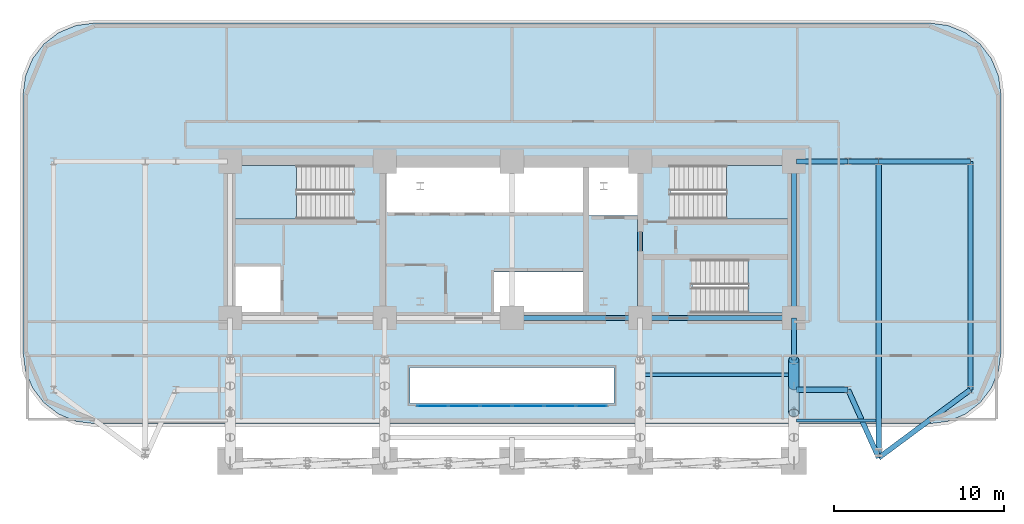
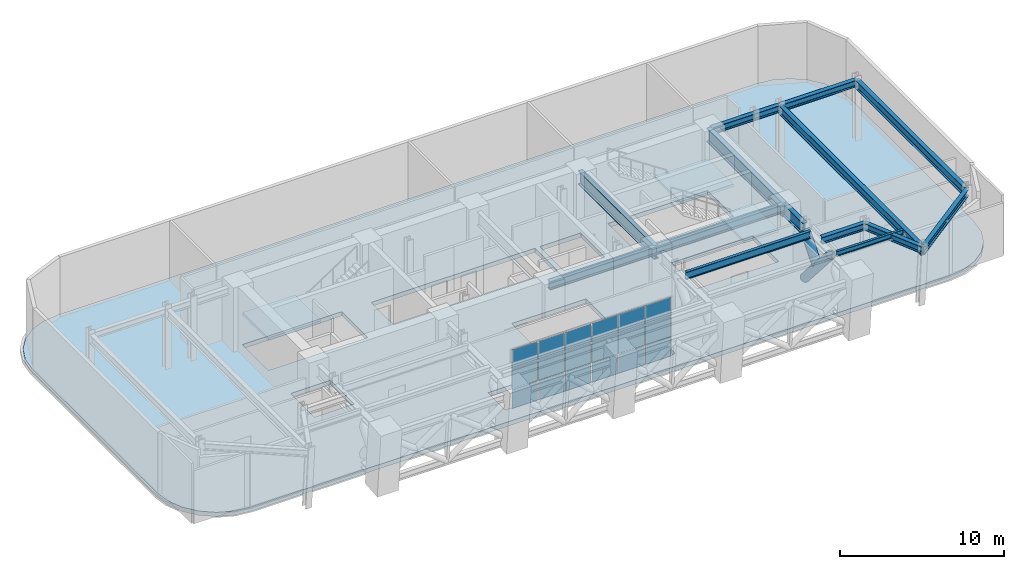
# One storey, part 6 of 12: 18 plates, 15 beams, 4 slabs, 2 members, 4 elements without a shape of their own.
"""IFC4 building model written with IfcOpenShell, lengths in metres."""

from ifc_helpers import new_model, si_unit, direction, frame, origin, origin_2d, place, context, subcontext, project, spatial, polyline, rectangle, hollow_circle, i_section, outline, extrude, material, layer, layer_set, material_profile, profile_set, type_object, element, aggregate, save


model = new_model("IFC4")

# Units and contexts
model_context = context("Model", 3, precision=1e-05, world=origin(), true_north=direction((0.0, 1.0)))
body_context = subcontext(model_context, "Body", "Model", "MODEL_VIEW")
ifc_project = project(units=[si_unit("LENGTHUNIT", "METRE"), si_unit("AREAUNIT", "SQUARE_METRE"), si_unit("VOLUMEUNIT", "CUBIC_METRE"), si_unit("PLANEANGLEUNIT", "RADIAN"), si_unit("MASSUNIT", "GRAM", prefix="KILO")], contexts=[model_context])

# Site, building, storey
site_placement = place(None, origin())
site = spatial("IfcSite", under=ifc_project, at=site_placement, CompositionType="ELEMENT")
building_placement = place(site_placement, origin())
building = spatial("IfcBuilding", under=site, at=building_placement, Name="Zarnavel Station Tower", CompositionType="ELEMENT")
storey_placement = place(building_placement, frame((0.0, 0.0, 74.5)))
storey = spatial("IfcBuildingStorey", under=building, at=storey_placement, Name="L20", CompositionType="ELEMENT", Elevation=74.5)

# Beams
ifc_material_1 = material(Name="Steel S355J2", Category="steel")
ifc_material_profile_1 = material_profile(ifc_material_1, i_section(OverallWidth=0.2099609375, OverallDepth=0.550048828125, WebThickness=0.010986328125, FlangeThickness=0.01708984375, FilletRadius=0.02392578125, at=origin_2d()), Name="IPE550")
ifc_profile_set_1 = profile_set([ifc_material_profile_1], Name="Steel S355J2")
beam_type_1 = type_object("IfcBeamType", Name="FB_IPE550", PredefinedType="BEAM", material=ifc_profile_set_1)
beam_1_placement = place(storey_placement, frame((36.4951171875, 24.490234375, 4.205078125), z_axis=(1.0, 0.0, 0.0), x_axis=(0.0, 1.0, 0.0)))
element("IfcBeam", 1, at=beam_1_placement, inside=storey, type_object=beam_type_1, Name="L20 East Bay Beam 2", PredefinedType="BEAM", context=body_context, shape_type="SweptSolid", body=[
    extrude(i_section(OverallWidth=0.2099609375, OverallDepth=0.550048828125, WebThickness=0.010986328125, FlangeThickness=0.01708984375, FilletRadius=0.02392578125, at=origin_2d()), origin(), (0.0, 0.0, 1.0), 8.759765625),
])
ifc_material_2 = material(Name="Steel S355J2", Category="steel")
ifc_material_profile_2 = material_profile(ifc_material_2, i_section(OverallWidth=0.300048828125, OverallDepth=0.5, WebThickness=0.014404296875, FlangeThickness=0.028076171875, FilletRadius=0.027099609375, at=origin_2d()), Name="HEB500")
ifc_profile_set_2 = profile_set([ifc_material_profile_2], Name="Steel S355J2")
beam_type_2 = type_object("IfcBeamType", Name="FG_HEB500", PredefinedType="USERDEFINED", material=ifc_profile_set_2)
for number, where, z_axis, x_axis, name in (
    (2, (45.544921875, 23.60009765625, 4.22998046875), (1.0, 0.0, 0.0), (0.0, 1.0, 0.0), "L20 East Wing South Tie 1"),
    (3, (45.544921875, 37.050048828125, 4.22998046875), (1.0, 0.0, 0.0), (0.0, 1.0, 0.0), "L20 East Wing North Tie 1"),
):
    element("IfcBeam", number, at=place(storey_placement, frame(where, z_axis=z_axis, x_axis=x_axis)), inside=storey, type_object=beam_type_2, Name=name, ObjectType="GIRDER", PredefinedType="USERDEFINED", context=body_context, shape_type="SweptSolid", body=[
        extrude(i_section(OverallWidth=0.300048828125, OverallDepth=0.5, WebThickness=0.014404296875, FlangeThickness=0.028076171875, FilletRadius=0.027099609375, at=origin_2d()), origin(), (0.0, 0.0, 1.0), 3.05517578125),
    ])
beam_2_placement = place(storey_placement, frame((48.60009765625, 23.60009765625, 4.22998046875), z_axis=(0.409807547675, -0.912172008926, 0.0), x_axis=(0.912172008926, 0.409807547675, 0.0)))
element("IfcBeam", 4, at=beam_2_placement, inside=storey, type_object=beam_type_2, Name="L20 East Wing South Tie 2", ObjectType="GIRDER", PredefinedType="USERDEFINED", context=body_context, shape_type="SweptSolid", body=[
    extrude(i_section(OverallWidth=0.300048828125, OverallDepth=0.5, WebThickness=0.014404296875, FlangeThickness=0.028076171875, FilletRadius=0.027099609375, at=origin_2d()), origin(), (0.0, 0.0, 1.0), 4.391845703125),
])
beam_3_placement = place(storey_placement, frame((48.60009765625, 37.050048828125, 4.22998046875), z_axis=(1.0, 0.0, 0.0), x_axis=(0.0, 1.0, 0.0)))
element("IfcBeam", 5, at=beam_3_placement, inside=storey, type_object=beam_type_2, Name="L20 East Wing North Tie 2", ObjectType="GIRDER", PredefinedType="USERDEFINED", context=body_context, shape_type="SweptSolid", body=[
    extrude(i_section(OverallWidth=0.300048828125, OverallDepth=0.5, WebThickness=0.014404296875, FlangeThickness=0.028076171875, FilletRadius=0.027099609375, at=origin_2d()), origin(), (0.0, 0.0, 1.0), 1.7998046875),
])
beam_4_placement = place(storey_placement, frame((50.39990234375, 19.593994140625, 4.22998046875), z_axis=(0.803130535036, 0.59580310816, 0.0), x_axis=(-0.59580310816, 0.803130535036, 0.0)))
element("IfcBeam", 6, at=beam_4_placement, inside=storey, type_object=beam_type_2, Name="L20 East Wing South Tie 3", ObjectType="GIRDER", PredefinedType="USERDEFINED", context=body_context, shape_type="SweptSolid", body=[
    extrude(i_section(OverallWidth=0.300048828125, OverallDepth=0.5, WebThickness=0.014404296875, FlangeThickness=0.028076171875, FilletRadius=0.027099609375, at=origin_2d()), origin(), (0.0, 0.0, 1.0), 6.723876953125),
])
beam_5_placement = place(storey_placement, frame((50.39990234375, 37.050048828125, 4.22998046875), z_axis=(1.0, 0.0, 0.0), x_axis=(0.0, 1.0, 0.0)))
element("IfcBeam", 7, at=beam_5_placement, inside=storey, type_object=beam_type_2, Name="L20 East Wing North Tie 3", ObjectType="GIRDER", PredefinedType="USERDEFINED", context=body_context, shape_type="SweptSolid", body=[
    extrude(i_section(OverallWidth=0.300048828125, OverallDepth=0.5, WebThickness=0.014404296875, FlangeThickness=0.028076171875, FilletRadius=0.027099609375, at=origin_2d()), origin(), (0.0, 0.0, 1.0), 5.400146484375),
])
ifc_material_3 = material(Name="Steel S355J2", Category="steel")
ifc_material_profile_3 = material_profile(ifc_material_3, i_section(OverallWidth=0.300048828125, OverallDepth=0.60009765625, WebThickness=0.015380859375, FlangeThickness=0.030029296875, FilletRadius=0.027099609375, at=origin_2d()), Name="HEB600")
ifc_profile_set_3 = profile_set([ifc_material_profile_3], Name="Steel S355J2")
beam_type_3 = type_object("IfcBeamType", Name="FG_HEB600", PredefinedType="USERDEFINED", material=ifc_profile_set_3)
beam_6_placement = place(storey_placement, frame((28.800048828125, 27.820068359375, 4.179931640625), z_axis=(1.0, 0.0, 0.0), x_axis=(0.0, 1.0, 0.0)))
element("IfcBeam", 8, at=beam_6_placement, inside=storey, type_object=beam_type_3, Name="L20 Core Front Coupling Beam 3", ObjectType="GIRDER", PredefinedType="USERDEFINED", context=body_context, shape_type="SweptSolid", body=[
    extrude(i_section(OverallWidth=0.300048828125, OverallDepth=0.60009765625, WebThickness=0.015380859375, FlangeThickness=0.030029296875, FilletRadius=0.027099609375, at=origin_2d()), origin(), (0.0, 0.0, 1.0), 7.550048828125),
])
beam_7_placement = place(storey_placement, frame((36.35009765625, 27.820068359375, 4.179931640625), z_axis=(1.0, 0.0, 0.0), x_axis=(0.0, 1.0, 0.0)))
element("IfcBeam", 9, at=beam_7_placement, inside=storey, type_object=beam_type_3, Name="L20 Core Front Coupling Beam 4", ObjectType="GIRDER", PredefinedType="USERDEFINED", context=body_context, shape_type="SweptSolid", body=[
    extrude(i_section(OverallWidth=0.300048828125, OverallDepth=0.60009765625, WebThickness=0.015380859375, FlangeThickness=0.030029296875, FilletRadius=0.027099609375, at=origin_2d()), origin(), (0.0, 0.0, 1.0), 9.0498046875),
])
ifc_material_4 = material(Name="Steel S355J2", Category="steel")
ifc_material_profile_4 = material_profile(ifc_material_4, i_section(OverallWidth=0.300048828125, OverallDepth=0.64990234375, WebThickness=0.01611328125, FlangeThickness=0.031005859375, FilletRadius=0.027099609375, at=origin_2d()), Name="HEB650")
ifc_profile_set_4 = profile_set([ifc_material_profile_4], Name="Steel S355J2")
beam_type_4 = type_object("IfcBeamType", Name="FG_HEB650", PredefinedType="USERDEFINED", material=ifc_profile_set_4)
beam_8_placement = place(storey_placement, frame((50.39990234375, 19.593994140625, 4.155029296875), z_axis=(0.0, 1.0, 0.0), x_axis=(-1.0, 0.0, 0.0)))
element("IfcBeam", 10, at=beam_8_placement, inside=storey, type_object=beam_type_4, Name="L20 Wing NS Girder 3", ObjectType="GIRDER", PredefinedType="USERDEFINED", context=body_context, shape_type="SweptSolid", body=[
    extrude(i_section(OverallWidth=0.300048828125, OverallDepth=0.64990234375, WebThickness=0.01611328125, FlangeThickness=0.031005859375, FilletRadius=0.027099609375, at=origin_2d()), origin(), (0.0, 0.0, 1.0), 17.4560546875),
])
beam_9_placement = place(storey_placement, frame((55.800048828125, 23.60009765625, 4.155029296875), z_axis=(0.0, 1.0, 0.0), x_axis=(-1.0, 0.0, 0.0)))
element("IfcBeam", 11, at=beam_9_placement, inside=storey, type_object=beam_type_4, Name="L20 Wing NS Girder 4", ObjectType="GIRDER", PredefinedType="USERDEFINED", context=body_context, shape_type="SweptSolid", body=[
    extrude(i_section(OverallWidth=0.300048828125, OverallDepth=0.64990234375, WebThickness=0.01611328125, FlangeThickness=0.031005859375, FilletRadius=0.027099609375, at=origin_2d()), origin(), (0.0, 0.0, 1.0), 13.449951171875),
])
ifc_material_5 = material(Name="Steel S355J2", Category="steel")
ifc_material_profile_5 = material_profile(ifc_material_5, i_section(OverallWidth=0.169921875, OverallDepth=0.360107421875, WebThickness=0.008056640625, FlangeThickness=0.0126953125, FilletRadius=0.01806640625, at=origin_2d()), Name="IPE360")
ifc_profile_set_5 = profile_set([ifc_material_profile_5], Name="Steel S355J2")
beam_type_5 = type_object("IfcBeamType", Name="FJ_IPE360", PredefinedType="JOIST", material=ifc_profile_set_5)
beam_10_placement = place(storey_placement, frame((45.544921875, 21.780517578125, 4.300048828125), z_axis=(1.0, 0.0, 0.0), x_axis=(0.0, 1.0, 0.0)))
element("IfcBeam", 12, at=beam_10_placement, inside=storey, type_object=beam_type_5, Name="L20 East Wing Joist 1", PredefinedType="JOIST", context=body_context, shape_type="SweptSolid", body=[
    extrude(i_section(OverallWidth=0.169921875, OverallDepth=0.360107421875, WebThickness=0.008056640625, FlangeThickness=0.0126953125, FilletRadius=0.01806640625, at=origin_2d()), origin(), (0.0, 0.0, 1.0), 4.7099609375),
])

# Members
ifc_material_6 = material(Name="Steel S460M", Category="steel")
ifc_material_profile_6 = material_profile(ifc_material_6, hollow_circle(Radius=0.304931640625, WallThickness=0.02490234375, at=origin_2d()), Name="CHS610x25")
ifc_profile_set_6 = profile_set([ifc_material_profile_6], Name="Steel S460M")
member_type = type_object("IfcMemberType", Name="OT_DIAG_CHS610", PredefinedType="STRUT", material=ifc_profile_set_6)
member_1_placement = place(storey_placement, frame((45.39990234375, 25.35009765625, 0.39990234375), z_axis=(0.0, -0.656667528938, 0.75418018831), x_axis=(1.0, 0.0, 0.0)))
element("IfcMember", 13, at=member_1_placement, inside=storey, type_object=member_type, Name="L20 Outrigger Continuous Inner Diagonal 4", PredefinedType="STRUT", context=body_context, shape_type="SweptSolid", body=[
    extrude(hollow_circle(Radius=0.304931640625, WallThickness=0.02490234375, at=origin_2d()), origin(), (0.0, 0.0, 1.0), 4.7470703125),
])
member_2_placement = place(storey_placement, frame((45.39990234375, 23.83203125, 2.18994140625), z_axis=(0.0, 0.646790494346, 0.762667723471), x_axis=(-1.0, 0.0, 0.0)))
element("IfcMember", 14, at=member_2_placement, inside=storey, type_object=member_type, Name="L20 Outrigger Split Inner Strut Upper 4", PredefinedType="STRUT", context=body_context, shape_type="SweptSolid", body=[
    extrude(hollow_circle(Radius=0.304931640625, WallThickness=0.02490234375, at=origin_2d()), origin(), (0.0, 0.0, 1.0), 2.34716796875),
])

# Beams
ifc_material_7 = material(Name="Steel S460M", Category="steel")
ifc_material_profile_7 = material_profile(ifc_material_7, i_section(OverallWidth=0.302001953125, OverallDepth=1.008056640625, WebThickness=0.02099609375, FlangeThickness=0.0400390625, FilletRadius=0.030029296875, at=origin_2d()), Name="HEM1000")
ifc_profile_set_7 = profile_set([ifc_material_profile_7], Name="Steel S460M")
beam_type_6 = type_object("IfcBeamType", Name="TG_HEM1000", PredefinedType="USERDEFINED", material=ifc_profile_set_7)
for number, where, z_axis, x_axis, name in (
    (15, (36.35009765625, 27.820068359375, 3.97607421875), (0.0, 1.0, 0.0), (-1.0, 0.0, 0.0), "L20 Core Spine Coupling Girder 4"),
    (16, (45.39990234375, 27.820068359375, 3.97607421875), (0.0, 1.0, 0.0), (-1.0, 0.0, 0.0), "L20 Core Spine Coupling Girder 5"),
):
    element("IfcBeam", number, at=place(storey_placement, frame(where, z_axis=z_axis, x_axis=x_axis)), inside=storey, type_object=beam_type_6, Name=name, ObjectType="GIRDER", PredefinedType="USERDEFINED", context=body_context, shape_type="SweptSolid", body=[
        extrude(i_section(OverallWidth=0.302001953125, OverallDepth=1.008056640625, WebThickness=0.02099609375, FlangeThickness=0.0400390625, FilletRadius=0.030029296875, at=origin_2d()), origin(), (0.0, 0.0, 1.0), 9.22998046875),
    ])
ifc_material_8 = material(Name="Steel S460M", Category="steel")
ifc_material_profile_8 = material_profile(ifc_material_8, i_section(OverallWidth=0.302001953125, OverallDepth=0.909912109375, WebThickness=0.02099609375, FlangeThickness=0.0400390625, FilletRadius=0.030029296875, at=origin_2d()), Name="HEM900")
ifc_profile_set_8 = profile_set([ifc_material_profile_8], Name="Steel S460M")
beam_type_7 = type_object("IfcBeamType", Name="TG_HEM900", PredefinedType="USERDEFINED", material=ifc_profile_set_8)
beam_11_placement = place(storey_placement, frame((45.39990234375, 25.35009765625, 4.02490234375), z_axis=(0.0, 1.0, 0.0), x_axis=(-1.0, 0.0, 0.0)))
element("IfcBeam", 17, at=beam_11_placement, inside=storey, type_object=beam_type_7, Name="L20 Inner-Zone NS Girder 5", ObjectType="GIRDER", PredefinedType="USERDEFINED", context=body_context, shape_type="SweptSolid", body=[
    extrude(i_section(OverallWidth=0.302001953125, OverallDepth=0.909912109375, WebThickness=0.02099609375, FlangeThickness=0.0400390625, FilletRadius=0.030029296875, at=origin_2d()), origin(), (0.0, 0.0, 1.0), 2.469970703125),
])

# Curtain wall, plates
ifc_material_9 = material(Name="Aluminium Dark Anodised and Solar-Control Glass", Category="aluminium")
ifc_layer_1 = layer(ifc_material_9, 0.179931640625)
ifc_layer_set_1 = layer_set([ifc_layer_1], Name="CWS3")
curtain_wall_type = type_object("IfcCurtainWallType", Name="CWS3", PredefinedType="NOTDEFINED", material=ifc_layer_set_1)
curtain_wall_placement = place(storey_placement, origin())
curtain_wall = element("IfcCurtainWall", 18, at=curtain_wall_placement, inside=storey, type_object=curtain_wall_type, Name="L20 Curtain Wall CWS3-L20-AS", PredefinedType="NOTDEFINED")
ifc_material_10 = material(Name="Double Low-E Dark Solar-Control Glass", Category="glass")
ifc_layer_2 = layer(ifc_material_10, 0.030029296875)
ifc_layer_set_2 = layer_set([ifc_layer_2], Name="CWS3_PNL")
plate_type = type_object("IfcPlateType", Name="CWS3_PNL", PredefinedType="CURTAIN_PANEL", material=ifc_layer_set_2)
plate_1_placement = place(storey_placement, frame((24.106689453125, 22.64990234375, 0.06005859375), z_axis=(0.0, 0.0, 1.0), x_axis=(1.0, 0.0, 0.0)))
plate_1 = element("IfcPlate", 19, at=plate_1_placement, type_object=plate_type, Name="CW3 panel 1.1", PredefinedType="CURTAIN_PANEL", context=body_context, shape_type="SweptSolid", body=[
    extrude(rectangle(XDim=1.793212890625, YDim=0.028076171875, at=origin_2d()), origin(), (0.0, 0.0, 1.0), 1.4033203125),
])
plate_2_placement = place(storey_placement, frame((24.106689453125, 22.64990234375, 1.5234375), z_axis=(0.0, 0.0, 1.0), x_axis=(1.0, 0.0, 0.0)))
plate_2 = element("IfcPlate", 20, at=plate_2_placement, type_object=plate_type, Name="CW3 panel 1.2", PredefinedType="CURTAIN_PANEL", context=body_context, shape_type="SweptSolid", body=[
    extrude(rectangle(XDim=1.793212890625, YDim=0.028076171875, at=origin_2d()), origin(), (0.0, 0.0, 1.0), 1.433349609375),
])
plate_3_placement = place(storey_placement, frame((24.106689453125, 22.64990234375, 3.0166015625), z_axis=(0.0, 0.0, 1.0), x_axis=(1.0, 0.0, 0.0)))
plate_3 = element("IfcPlate", 21, at=plate_3_placement, type_object=plate_type, Name="CW3 panel 1.3", PredefinedType="CURTAIN_PANEL", context=body_context, shape_type="SweptSolid", body=[
    extrude(rectangle(XDim=1.793212890625, YDim=0.028076171875, at=origin_2d()), origin(), (0.0, 0.0, 1.0), 1.4033203125),
])
plate_4_placement = place(storey_placement, frame((25.97509765625, 22.64990234375, 0.06005859375), z_axis=(0.0, 0.0, 1.0), x_axis=(1.0, 0.0, 0.0)))
plate_4 = element("IfcPlate", 22, at=plate_4_placement, type_object=plate_type, Name="CW3 panel 2.1", PredefinedType="CURTAIN_PANEL", context=body_context, shape_type="SweptSolid", body=[
    extrude(rectangle(XDim=1.8232421875, YDim=0.028076171875, at=origin_2d()), origin(), (0.0, 0.0, 1.0), 1.4033203125),
])
plate_5_placement = place(storey_placement, frame((25.97509765625, 22.64990234375, 1.5234375), z_axis=(0.0, 0.0, 1.0), x_axis=(1.0, 0.0, 0.0)))
plate_5 = element("IfcPlate", 23, at=plate_5_placement, type_object=plate_type, Name="CW3 panel 2.2", PredefinedType="CURTAIN_PANEL", context=body_context, shape_type="SweptSolid", body=[
    extrude(rectangle(XDim=1.8232421875, YDim=0.028076171875, at=origin_2d()), origin(), (0.0, 0.0, 1.0), 1.433349609375),
])
plate_6_placement = place(storey_placement, frame((25.97509765625, 22.64990234375, 3.0166015625), z_axis=(0.0, 0.0, 1.0), x_axis=(1.0, 0.0, 0.0)))
plate_6 = element("IfcPlate", 24, at=plate_6_placement, type_object=plate_type, Name="CW3 panel 2.3", PredefinedType="CURTAIN_PANEL", context=body_context, shape_type="SweptSolid", body=[
    extrude(rectangle(XDim=1.8232421875, YDim=0.028076171875, at=origin_2d()), origin(), (0.0, 0.0, 1.0), 1.4033203125),
])
plate_7_placement = place(storey_placement, frame((27.8583984375, 22.64990234375, 0.06005859375), z_axis=(0.0, 0.0, 1.0), x_axis=(1.0, 0.0, 0.0)))
plate_7 = element("IfcPlate", 25, at=plate_7_placement, type_object=plate_type, Name="CW3 panel 3.1", PredefinedType="CURTAIN_PANEL", context=body_context, shape_type="SweptSolid", body=[
    extrude(rectangle(XDim=1.8232421875, YDim=0.028076171875, at=origin_2d()), origin(), (0.0, 0.0, 1.0), 1.4033203125),
])
plate_8_placement = place(storey_placement, frame((27.8583984375, 22.64990234375, 1.5234375), z_axis=(0.0, 0.0, 1.0), x_axis=(1.0, 0.0, 0.0)))
plate_8 = element("IfcPlate", 26, at=plate_8_placement, type_object=plate_type, Name="CW3 panel 3.2", PredefinedType="CURTAIN_PANEL", context=body_context, shape_type="SweptSolid", body=[
    extrude(rectangle(XDim=1.8232421875, YDim=0.028076171875, at=origin_2d()), origin(), (0.0, 0.0, 1.0), 1.433349609375),
])
plate_9_placement = place(storey_placement, frame((27.8583984375, 22.64990234375, 3.0166015625), z_axis=(0.0, 0.0, 1.0), x_axis=(1.0, 0.0, 0.0)))
plate_9 = element("IfcPlate", 27, at=plate_9_placement, type_object=plate_type, Name="CW3 panel 3.3", PredefinedType="CURTAIN_PANEL", context=body_context, shape_type="SweptSolid", body=[
    extrude(rectangle(XDim=1.8232421875, YDim=0.028076171875, at=origin_2d()), origin(), (0.0, 0.0, 1.0), 1.4033203125),
])
plate_10_placement = place(storey_placement, frame((29.74169921875, 22.64990234375, 0.06005859375), z_axis=(0.0, 0.0, 1.0), x_axis=(1.0, 0.0, 0.0)))
plate_10 = element("IfcPlate", 28, at=plate_10_placement, type_object=plate_type, Name="CW3 panel 4.1", PredefinedType="CURTAIN_PANEL", context=body_context, shape_type="SweptSolid", body=[
    extrude(rectangle(XDim=1.8232421875, YDim=0.028076171875, at=origin_2d()), origin(), (0.0, 0.0, 1.0), 1.4033203125),
])
plate_11_placement = place(storey_placement, frame((29.74169921875, 22.64990234375, 1.5234375), z_axis=(0.0, 0.0, 1.0), x_axis=(1.0, 0.0, 0.0)))
plate_11 = element("IfcPlate", 29, at=plate_11_placement, type_object=plate_type, Name="CW3 panel 4.2", PredefinedType="CURTAIN_PANEL", context=body_context, shape_type="SweptSolid", body=[
    extrude(rectangle(XDim=1.8232421875, YDim=0.028076171875, at=origin_2d()), origin(), (0.0, 0.0, 1.0), 1.433349609375),
])
plate_12_placement = place(storey_placement, frame((29.74169921875, 22.64990234375, 3.0166015625), z_axis=(0.0, 0.0, 1.0), x_axis=(1.0, 0.0, 0.0)))
plate_12 = element("IfcPlate", 30, at=plate_12_placement, type_object=plate_type, Name="CW3 panel 4.3", PredefinedType="CURTAIN_PANEL", context=body_context, shape_type="SweptSolid", body=[
    extrude(rectangle(XDim=1.8232421875, YDim=0.028076171875, at=origin_2d()), origin(), (0.0, 0.0, 1.0), 1.4033203125),
])
plate_13_placement = place(storey_placement, frame((31.625, 22.64990234375, 0.06005859375), z_axis=(0.0, 0.0, 1.0), x_axis=(1.0, 0.0, 0.0)))
plate_13 = element("IfcPlate", 31, at=plate_13_placement, type_object=plate_type, Name="CW3 panel 5.1", PredefinedType="CURTAIN_PANEL", context=body_context, shape_type="SweptSolid", body=[
    extrude(rectangle(XDim=1.8232421875, YDim=0.028076171875, at=origin_2d()), origin(), (0.0, 0.0, 1.0), 1.4033203125),
])
plate_14_placement = place(storey_placement, frame((31.625, 22.64990234375, 1.5234375), z_axis=(0.0, 0.0, 1.0), x_axis=(1.0, 0.0, 0.0)))
plate_14 = element("IfcPlate", 32, at=plate_14_placement, type_object=plate_type, Name="CW3 panel 5.2", PredefinedType="CURTAIN_PANEL", context=body_context, shape_type="SweptSolid", body=[
    extrude(rectangle(XDim=1.8232421875, YDim=0.028076171875, at=origin_2d()), origin(), (0.0, 0.0, 1.0), 1.433349609375),
])
plate_15_placement = place(storey_placement, frame((31.625, 22.64990234375, 3.0166015625), z_axis=(0.0, 0.0, 1.0), x_axis=(1.0, 0.0, 0.0)))
plate_15 = element("IfcPlate", 33, at=plate_15_placement, type_object=plate_type, Name="CW3 panel 5.3", PredefinedType="CURTAIN_PANEL", context=body_context, shape_type="SweptSolid", body=[
    extrude(rectangle(XDim=1.8232421875, YDim=0.028076171875, at=origin_2d()), origin(), (0.0, 0.0, 1.0), 1.4033203125),
])
plate_16_placement = place(storey_placement, frame((33.493408203125, 22.64990234375, 0.06005859375), z_axis=(0.0, 0.0, 1.0), x_axis=(1.0, 0.0, 0.0)))
plate_16 = element("IfcPlate", 34, at=plate_16_placement, type_object=plate_type, Name="CW3 panel 6.1", PredefinedType="CURTAIN_PANEL", context=body_context, shape_type="SweptSolid", body=[
    extrude(rectangle(XDim=1.793212890625, YDim=0.028076171875, at=origin_2d()), origin(), (0.0, 0.0, 1.0), 1.4033203125),
])
plate_17_placement = place(storey_placement, frame((33.493408203125, 22.64990234375, 1.5234375), z_axis=(0.0, 0.0, 1.0), x_axis=(1.0, 0.0, 0.0)))
plate_17 = element("IfcPlate", 35, at=plate_17_placement, type_object=plate_type, Name="CW3 panel 6.2", PredefinedType="CURTAIN_PANEL", context=body_context, shape_type="SweptSolid", body=[
    extrude(rectangle(XDim=1.793212890625, YDim=0.028076171875, at=origin_2d()), origin(), (0.0, 0.0, 1.0), 1.433349609375),
])
plate_18_placement = place(storey_placement, frame((33.493408203125, 22.64990234375, 3.0166015625), z_axis=(0.0, 0.0, 1.0), x_axis=(1.0, 0.0, 0.0)))
plate_18 = element("IfcPlate", 36, at=plate_18_placement, type_object=plate_type, Name="CW3 panel 6.3", PredefinedType="CURTAIN_PANEL", context=body_context, shape_type="SweptSolid", body=[
    extrude(rectangle(XDim=1.793212890625, YDim=0.028076171875, at=origin_2d()), origin(), (0.0, 0.0, 1.0), 1.4033203125),
])
aggregate(curtain_wall, [plate_1, plate_2, plate_3, plate_4, plate_5, plate_6, plate_7, plate_8, plate_9, plate_10, plate_11, plate_12, plate_13, plate_14, plate_15, plate_16, plate_17, plate_18])

# Slab
ifc_material_11 = material(Name="Concrete C45/55", Category="concrete")
ifc_layer_3 = layer(ifc_material_11, 0.320068359375)
ifc_layer_set_3 = layer_set([ifc_layer_3], Name="SL_FLR_320")
slab_type_1 = type_object("IfcSlabType", Name="SL_FLR_320", PredefinedType="FLOOR", material=ifc_layer_set_3)
slab_1_placement = place(storey_placement, frame((0.0, 0.0, -0.320068359375)))
element("IfcSlab", 37, at=slab_1_placement, inside=storey, type_object=slab_type_1, Name="L20 Structural Floor Slab", PredefinedType="FLOOR", context=body_context, shape_type="SweptSolid", body=[
    extrude(outline(polyline([(53.39990234375, 21.60009765625), (54.487060546875, 21.7431640625), (55.5, 22.16259765625), (56.369873046875, 22.830078125), (57.037353515625, 23.699951171875), (57.456787109375, 24.712890625), (57.60009765625, 25.800048828125), (57.60009765625, 41.0), (57.456787109375, 42.0869140625), (57.037353515625, 43.10009765625), (56.369873046875, 43.9697265625), (55.5, 44.63720703125), (54.487060546875, 45.056884765625), (53.39990234375, 45.199951171875), (4.199951171875, 45.199951171875), (3.113037109375, 45.056884765625), (2.10009765625, 44.63720703125), (1.230224609375, 43.9697265625), (0.562744140625, 43.10009765625), (0.14306640625, 42.0869140625), (0.0, 41.0), (0.0, 25.800048828125), (0.14306640625, 24.712890625), (0.562744140625, 23.699951171875), (1.230224609375, 22.830078125), (2.10009765625, 22.16259765625), (3.113037109375, 21.7431640625), (4.199951171875, 21.60009765625), (53.39990234375, 21.60009765625)]), holes=[polyline([(12.39990234375, 33.659912109375), (19.409912109375, 33.659912109375), (19.409912109375, 36.820068359375), (12.39990234375, 36.820068359375), (12.39990234375, 33.659912109375)]), polyline([(38.14990234375, 33.659912109375), (45.159912109375, 33.659912109375), (45.159912109375, 36.820068359375), (38.14990234375, 36.820068359375), (38.14990234375, 33.659912109375)]), polyline([(39.419921875, 28.1201171875), (45.14990234375, 28.1201171875), (45.14990234375, 31.280029296875), (39.419921875, 31.280029296875), (39.419921875, 28.1201171875)]), polyline([(12.35009765625, 27.949951171875), (15.14990234375, 27.949951171875), (15.14990234375, 30.85009765625), (12.35009765625, 30.85009765625), (12.35009765625, 27.949951171875)]), polyline([(33.320068359375, 33.85009765625), (36.2099609375, 33.85009765625), (36.2099609375, 36.780029296875), (33.320068359375, 36.780029296875), (33.320068359375, 33.85009765625)]), polyline([(21.449951171875, 34.050048828125), (32.97998046875, 34.050048828125), (32.97998046875, 36.780029296875), (21.449951171875, 36.780029296875), (21.449951171875, 34.050048828125)]), polyline([(27.75, 27.949951171875), (32.97998046875, 27.949951171875), (32.97998046875, 30.550048828125), (27.75, 30.550048828125), (27.75, 27.949951171875)]), polyline([(22.800048828125, 22.800048828125), (34.800048828125, 22.800048828125), (34.800048828125, 24.89990234375), (22.800048828125, 24.89990234375), (22.800048828125, 22.800048828125)])]), origin(), (0.0, 0.0, 1.0), 0.320068359375),
])

# Stair, slab
ifc_material_12 = material(Name="Concrete C45/55", Category="concrete")
stair_type = type_object("IfcStairType", Name="ST_CORE_150", PredefinedType="HALF_TURN_STAIR", material=ifc_material_12)
stair_1_placement = place(storey_placement, origin())
stair_1 = element("IfcStair", 38, at=stair_1_placement, inside=storey, type_object=stair_type, Name="L20 Core Exit Stair ST1", PredefinedType="HALF_TURN_STAIR")
ifc_material_13 = material(Name="Concrete C45/55", Category="concrete")
ifc_layer_4 = layer(ifc_material_13, 0.199951171875)
ifc_layer_set_4 = layer_set([ifc_layer_4], Name="SL_STAIR_LAND_200")
slab_type_2 = type_object("IfcSlabType", Name="SL_STAIR_LAND_200", PredefinedType="LANDING", material=ifc_layer_set_4)
slab_2_placement = place(storey_placement, frame((0.0, 0.0, 2.199951171875)))
slab_2 = element("IfcSlab", 39, at=slab_2_placement, type_object=slab_type_2, Name="ST1 landing 1", PredefinedType="LANDING", context=body_context, shape_type="SweptSolid", body=[
    extrude(outline(polyline([(16.1201171875, 36.820068359375), (12.39990234375, 36.820068359375), (12.39990234375, 33.659912109375), (16.1201171875, 33.659912109375), (16.1201171875, 36.820068359375)])), origin(), (0.0, 0.0, 1.0), 0.199951171875),
])
aggregate(stair_1, [slab_2])

stair_2_placement = place(storey_placement, origin())
stair_2 = element("IfcStair", 40, at=stair_2_placement, inside=storey, type_object=stair_type, Name="L20 Core Exit Stair ST2", PredefinedType="HALF_TURN_STAIR")
slab_3_placement = place(storey_placement, frame((0.0, 0.0, 2.199951171875)))
slab_3 = element("IfcSlab", 41, at=slab_3_placement, type_object=slab_type_2, Name="ST2 landing 1", PredefinedType="LANDING", context=body_context, shape_type="SweptSolid", body=[
    extrude(outline(polyline([(41.43994140625, 33.659912109375), (45.159912109375, 33.659912109375), (45.159912109375, 36.820068359375), (41.43994140625, 36.820068359375), (41.43994140625, 33.659912109375)])), origin(), (0.0, 0.0, 1.0), 0.199951171875),
])
aggregate(stair_2, [slab_3])

stair_3_placement = place(storey_placement, origin())
stair_3 = element("IfcStair", 42, at=stair_3_placement, inside=storey, type_object=stair_type, Name="L20 Core Exit Stair ST3", PredefinedType="HALF_TURN_STAIR")
slab_4_placement = place(storey_placement, frame((0.0, 0.0, 2.199951171875)))
slab_4 = element("IfcSlab", 43, at=slab_4_placement, type_object=slab_type_2, Name="ST3 landing 1", PredefinedType="LANDING", context=body_context, shape_type="SweptSolid", body=[
    extrude(outline(polyline([(42.7099609375, 28.1201171875), (45.14990234375, 28.1201171875), (45.14990234375, 31.280029296875), (42.7099609375, 31.280029296875), (42.7099609375, 28.1201171875)])), origin(), (0.0, 0.0, 1.0), 0.199951171875),
])
aggregate(stair_3, [slab_4])

save(model, "model.ifc")
